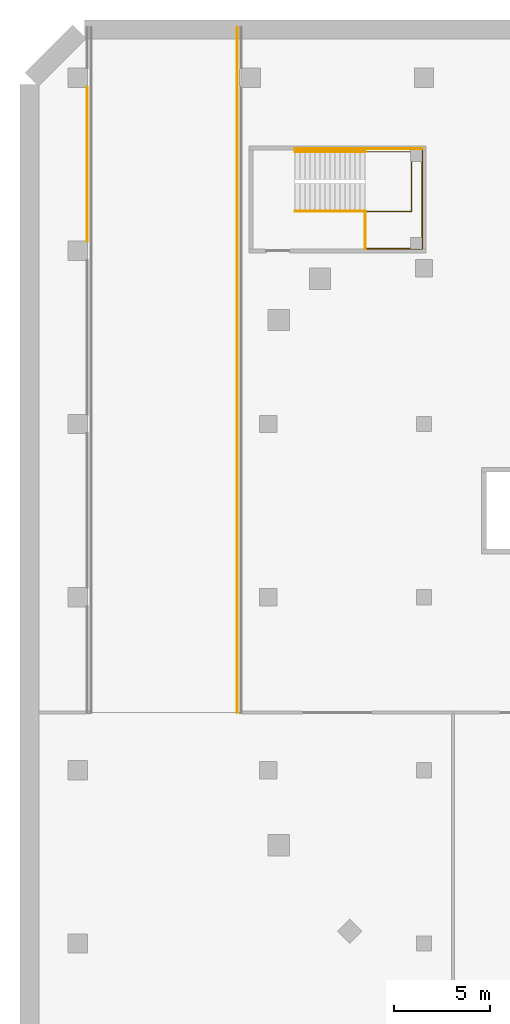
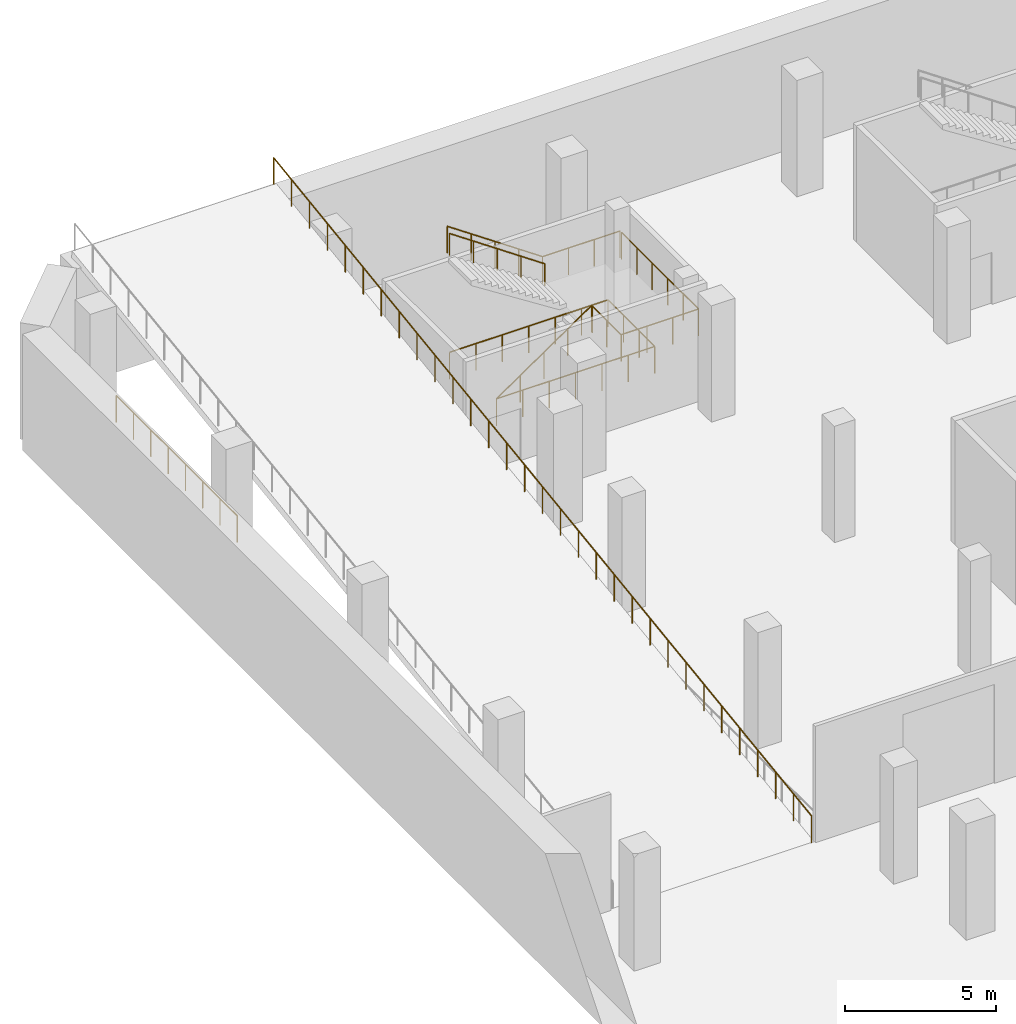
# One storey, part 14 of 19: 8 railings.
"""IFC4 building model written with IfcOpenShell, lengths in metres."""

from ifc_helpers import new_model, si_unit, direction, frame, origin, origin_2d, place, context, subcontext, project, spatial, circle, extrude, material, type_object, element, save


model = new_model("IFC4")

# Units and contexts
model_context = context("Model", 3, precision=1e-05, world=origin(), true_north=direction((0.0, 1.0)))
body_context = subcontext(model_context, "Body", "Model", "MODEL_VIEW")
ifc_project = project(units=[si_unit("LENGTHUNIT", "METRE"), si_unit("AREAUNIT", "SQUARE_METRE"), si_unit("VOLUMEUNIT", "CUBIC_METRE"), si_unit("PLANEANGLEUNIT", "RADIAN"), si_unit("MASSUNIT", "GRAM", prefix="KILO")], contexts=[model_context])

# Site, building, storey
site_placement = place(None, origin())
site = spatial("IfcSite", under=ifc_project, at=site_placement, CompositionType="ELEMENT")
building_placement = place(site_placement, origin())
building = spatial("IfcBuilding", under=site, at=building_placement, Name="Cinnabar Reach Civic Tower", CompositionType="ELEMENT")
storey_placement = place(building_placement, frame((0.0, 0.0, -5.0)))
storey = spatial("IfcBuildingStorey", under=building, at=storey_placement, Name="B1", CompositionType="ELEMENT", Elevation=-5.0)

# Railings
ifc_material_1 = material(Name="Stainless steel and glass", Category="steel")
railing_type_1 = type_object("IfcRailingType", Name="Podium guard 1100", PredefinedType="GUARDRAIL", material=ifc_material_1)
railing_1_placement = place(storey_placement, frame((-69.7, 47.05, 0.0)))
element("IfcRailing", 1, at=railing_1_placement, inside=storey, type_object=railing_type_1, Name="Stair guard PS2 B1", PredefinedType="GUARDRAIL", context=body_context, shape_type="SweptSolid", body=[
    extrude(circle(Radius=0.024, at=origin_2d()), frame((0.0, 0.0, 1.076), z_axis=(0.824306135323, 0.0, 0.566144323711), x_axis=(0.0, 1.0, 0.0)), (0.0, 0.0, 1.0), 4.4158),
    extrude(circle(Radius=0.021, at=origin_2d()), origin(), (0.0, 0.0, 1.0), 1.052),
    extrude(circle(Radius=0.021, at=origin_2d()), frame((0.91, 0.0, 0.625)), (0.0, 0.0, 1.0), 1.052),
    extrude(circle(Radius=0.021, at=origin_2d()), frame((1.82, 0.0, 1.25)), (0.0, 0.0, 1.0), 1.052),
    extrude(circle(Radius=0.021, at=origin_2d()), frame((2.73, 0.0, 1.875)), (0.0, 0.0, 1.0), 1.052),
    extrude(circle(Radius=0.021, at=origin_2d()), frame((3.64, 0.0, 2.5)), (0.0, 0.0, 1.0), 1.052),
])
railing_2_placement = place(storey_placement, frame((-66.06, 45.1, 2.5)))
element("IfcRailing", 2, at=railing_2_placement, inside=storey, type_object=railing_type_1, Name="Landing guard PS2 B1", PredefinedType="GUARDRAIL", context=body_context, shape_type="SweptSolid", body=[
    extrude(circle(Radius=0.024, at=origin_2d()), frame((0.0, 0.0, 1.076), z_axis=(1.0, 0.0, 0.0), x_axis=(0.0, 1.0, 0.0)), (0.0, 0.0, 1.0), 2.96),
    extrude(circle(Radius=0.024, at=origin_2d()), frame((2.96, 0.0, 1.076), z_axis=(0.0, 1.0, 0.0), x_axis=(-1.0, 0.0, 0.0)), (0.0, 0.0, 1.0), 5.1),
    extrude(circle(Radius=0.021, at=origin_2d()), origin(), (0.0, 0.0, 1.0), 1.052),
    extrude(circle(Radius=0.021, at=origin_2d()), frame((0.9867, 0.0, 0.0)), (0.0, 0.0, 1.0), 1.052),
    extrude(circle(Radius=0.021, at=origin_2d()), frame((1.9733, 0.0, 0.0)), (0.0, 0.0, 1.0), 1.052),
    extrude(circle(Radius=0.021, at=origin_2d()), frame((2.96, 0.0, 0.0)), (0.0, 0.0, 1.0), 1.052),
    extrude(circle(Radius=0.021, at=origin_2d()), frame((2.96, 1.02, 0.0)), (0.0, 0.0, 1.0), 1.052),
    extrude(circle(Radius=0.021, at=origin_2d()), frame((2.96, 2.04, 0.0)), (0.0, 0.0, 1.0), 1.052),
    extrude(circle(Radius=0.021, at=origin_2d()), frame((2.96, 3.06, 0.0)), (0.0, 0.0, 1.0), 1.052),
    extrude(circle(Radius=0.021, at=origin_2d()), frame((2.96, 4.08, 0.0)), (0.0, 0.0, 1.0), 1.052),
    extrude(circle(Radius=0.021, at=origin_2d()), frame((2.96, 5.1, 0.0)), (0.0, 0.0, 1.0), 1.052),
])
railing_3_placement = place(storey_placement, frame((-66.06, 45.1, 2.5)))
element("IfcRailing", 3, at=railing_3_placement, inside=storey, type_object=railing_type_1, Name="Landing guard PS2 B1 inner", PredefinedType="GUARDRAIL", context=body_context, shape_type="SweptSolid", body=[
    extrude(circle(Radius=0.024, at=origin_2d()), frame((0.0, 0.0, 1.076), z_axis=(0.0, 1.0, 0.0), x_axis=(-1.0, 0.0, 0.0)), (0.0, 0.0, 1.0), 1.9),
    extrude(circle(Radius=0.021, at=origin_2d()), origin(), (0.0, 0.0, 1.0), 1.052),
    extrude(circle(Radius=0.021, at=origin_2d()), frame((0.0, 0.95, 0.0)), (0.0, 0.0, 1.0), 1.052),
    extrude(circle(Radius=0.021, at=origin_2d()), frame((0.0, 1.9, 0.0)), (0.0, 0.0, 1.0), 1.052),
])
railing_4_placement = place(storey_placement, frame((-63.1, 50.3, 2.5)))
element("IfcRailing", 4, at=railing_4_placement, inside=storey, type_object=railing_type_1, Name="Stair wall side guard PS2 B1", PredefinedType="GUARDRAIL", context=body_context, shape_type="SweptSolid", body=[
    extrude(circle(Radius=0.024, at=origin_2d()), frame((0.0, 0.0, 1.076), z_axis=(-1.0, 0.0, 0.0), x_axis=(0.0, -1.0, 0.0)), (0.0, 0.0, 1.0), 2.96),
    extrude(circle(Radius=0.024, at=origin_2d()), frame((-2.96, 0.0, 1.076), z_axis=(-0.824306135323, 0.0, 0.566144323711), x_axis=(0.0, -1.0, 0.0)), (0.0, 0.0, 1.0), 4.4158),
    extrude(circle(Radius=0.021, at=origin_2d()), origin(), (0.0, 0.0, 1.0), 1.052),
    extrude(circle(Radius=0.021, at=origin_2d()), frame((-0.9867, 0.0, 0.0)), (0.0, 0.0, 1.0), 1.052),
    extrude(circle(Radius=0.021, at=origin_2d()), frame((-1.9733, 0.0, 0.0)), (0.0, 0.0, 1.0), 1.052),
    extrude(circle(Radius=0.021, at=origin_2d()), frame((-2.96, 0.0, 0.0)), (0.0, 0.0, 1.0), 1.052),
    extrude(circle(Radius=0.021, at=origin_2d()), frame((-3.87, 0.0, 0.625)), (0.0, 0.0, 1.0), 1.052),
    extrude(circle(Radius=0.021, at=origin_2d()), frame((-4.78, 0.0, 1.25)), (0.0, 0.0, 1.0), 1.052),
    extrude(circle(Radius=0.021, at=origin_2d()), frame((-5.69, 0.0, 1.875)), (0.0, 0.0, 1.0), 1.052),
    extrude(circle(Radius=0.021, at=origin_2d()), frame((-6.6, 0.0, 2.5)), (0.0, 0.0, 1.0), 1.052),
])
railing_5_placement = place(storey_placement, frame((-69.7, 47.05, 0.0)))
element("IfcRailing", 5, at=railing_5_placement, inside=storey, type_object=railing_type_1, Name="Stair well guard PS2 B1", PredefinedType="GUARDRAIL", context=body_context, shape_type="SweptSolid", body=[
    extrude(circle(Radius=0.024, at=origin_2d()), frame((0.0, 0.0, 1.076), z_axis=(1.0, 0.0, 0.0), x_axis=(0.0, 1.0, 0.0)), (0.0, 0.0, 1.0), 6.05),
    extrude(circle(Radius=0.024, at=origin_2d()), frame((6.05, 0.0, 1.076), z_axis=(0.0, 1.0, 0.0), x_axis=(-1.0, 0.0, 0.0)), (0.0, 0.0, 1.0), 3.1),
    extrude(circle(Radius=0.024, at=origin_2d()), frame((6.05, 3.1, 1.076), z_axis=(-1.0, 0.0, 0.0), x_axis=(0.0, -1.0, 0.0)), (0.0, 0.0, 1.0), 6.05),
    extrude(circle(Radius=0.021, at=origin_2d()), origin(), (0.0, 0.0, 1.0), 1.052),
    extrude(circle(Radius=0.021, at=origin_2d()), frame((1.0083, 0.0, 0.0)), (0.0, 0.0, 1.0), 1.052),
    extrude(circle(Radius=0.021, at=origin_2d()), frame((2.0167, 0.0, 0.0)), (0.0, 0.0, 1.0), 1.052),
    extrude(circle(Radius=0.021, at=origin_2d()), frame((3.025, 0.0, 0.0)), (0.0, 0.0, 1.0), 1.052),
    extrude(circle(Radius=0.021, at=origin_2d()), frame((4.0333, 0.0, 0.0)), (0.0, 0.0, 1.0), 1.052),
    extrude(circle(Radius=0.021, at=origin_2d()), frame((5.0417, 0.0, 0.0)), (0.0, 0.0, 1.0), 1.052),
    extrude(circle(Radius=0.021, at=origin_2d()), frame((6.05, 0.0, 0.0)), (0.0, 0.0, 1.0), 1.052),
    extrude(circle(Radius=0.021, at=origin_2d()), frame((6.05, 1.0333, 0.0)), (0.0, 0.0, 1.0), 1.052),
    extrude(circle(Radius=0.021, at=origin_2d()), frame((6.05, 2.0667, 0.0)), (0.0, 0.0, 1.0), 1.052),
    extrude(circle(Radius=0.021, at=origin_2d()), frame((6.05, 3.1, 0.0)), (0.0, 0.0, 1.0), 1.052),
    extrude(circle(Radius=0.021, at=origin_2d()), frame((5.0417, 3.1, 0.0)), (0.0, 0.0, 1.0), 1.052),
    extrude(circle(Radius=0.021, at=origin_2d()), frame((4.0333, 3.1, 0.0)), (0.0, 0.0, 1.0), 1.052),
    extrude(circle(Radius=0.021, at=origin_2d()), frame((3.025, 3.1, 0.0)), (0.0, 0.0, 1.0), 1.052),
    extrude(circle(Radius=0.021, at=origin_2d()), frame((2.0167, 3.1, 0.0)), (0.0, 0.0, 1.0), 1.052),
    extrude(circle(Radius=0.021, at=origin_2d()), frame((1.0083, 3.1, 0.0)), (0.0, 0.0, 1.0), 1.052),
    extrude(circle(Radius=0.021, at=origin_2d()), frame((0.0, 3.1, 0.0)), (0.0, 0.0, 1.0), 1.052),
])
railing_6_placement = place(storey_placement, frame((-72.7, 21.0, 0.0)))
element("IfcRailing", 6, at=railing_6_placement, inside=storey, type_object=railing_type_1, Name="Ramp guard R3-b", PredefinedType="GUARDRAIL", context=body_context, shape_type="SweptSolid", body=[
    extrude(circle(Radius=0.024, at=origin_2d()), frame((0.0, 0.0, 1.076), z_axis=(0.0, 0.990280538481, 0.139084345292), x_axis=(-1.0, 0.0, 0.0)), (0.0, 0.0, 1.0), 35.9494),
    extrude(circle(Radius=0.021, at=origin_2d()), origin(), (0.0, 0.0, 1.0), 1.052),
    extrude(circle(Radius=0.021, at=origin_2d()), frame((0.0, 1.1867, 0.1667)), (0.0, 0.0, 1.0), 1.052),
    extrude(circle(Radius=0.021, at=origin_2d()), frame((0.0, 2.3733, 0.3333)), (0.0, 0.0, 1.0), 1.052),
    extrude(circle(Radius=0.021, at=origin_2d()), frame((0.0, 3.56, 0.5)), (0.0, 0.0, 1.0), 1.052),
    extrude(circle(Radius=0.021, at=origin_2d()), frame((0.0, 4.7467, 0.6667)), (0.0, 0.0, 1.0), 1.052),
    extrude(circle(Radius=0.021, at=origin_2d()), frame((0.0, 5.9333, 0.8333)), (0.0, 0.0, 1.0), 1.052),
    extrude(circle(Radius=0.021, at=origin_2d()), frame((0.0, 7.12, 1.0)), (0.0, 0.0, 1.0), 1.052),
    extrude(circle(Radius=0.021, at=origin_2d()), frame((0.0, 8.3067, 1.1667)), (0.0, 0.0, 1.0), 1.052),
    extrude(circle(Radius=0.021, at=origin_2d()), frame((0.0, 9.4933, 1.3333)), (0.0, 0.0, 1.0), 1.052),
    extrude(circle(Radius=0.021, at=origin_2d()), frame((0.0, 10.68, 1.5)), (0.0, 0.0, 1.0), 1.052),
    extrude(circle(Radius=0.021, at=origin_2d()), frame((0.0, 11.8667, 1.6667)), (0.0, 0.0, 1.0), 1.052),
    extrude(circle(Radius=0.021, at=origin_2d()), frame((0.0, 13.0533, 1.8333)), (0.0, 0.0, 1.0), 1.052),
    extrude(circle(Radius=0.021, at=origin_2d()), frame((0.0, 14.24, 2.0)), (0.0, 0.0, 1.0), 1.052),
    extrude(circle(Radius=0.021, at=origin_2d()), frame((0.0, 15.4267, 2.1667)), (0.0, 0.0, 1.0), 1.052),
    extrude(circle(Radius=0.021, at=origin_2d()), frame((0.0, 16.6133, 2.3333)), (0.0, 0.0, 1.0), 1.052),
    extrude(circle(Radius=0.021, at=origin_2d()), frame((0.0, 17.8, 2.5)), (0.0, 0.0, 1.0), 1.052),
    extrude(circle(Radius=0.021, at=origin_2d()), frame((0.0, 18.9867, 2.6667)), (0.0, 0.0, 1.0), 1.052),
    extrude(circle(Radius=0.021, at=origin_2d()), frame((0.0, 20.1733, 2.8333)), (0.0, 0.0, 1.0), 1.052),
    extrude(circle(Radius=0.021, at=origin_2d()), frame((0.0, 21.36, 3.0)), (0.0, 0.0, 1.0), 1.052),
    extrude(circle(Radius=0.021, at=origin_2d()), frame((0.0, 22.5467, 3.1667)), (0.0, 0.0, 1.0), 1.052),
    extrude(circle(Radius=0.021, at=origin_2d()), frame((0.0, 23.7333, 3.3333)), (0.0, 0.0, 1.0), 1.052),
    extrude(circle(Radius=0.021, at=origin_2d()), frame((0.0, 24.92, 3.5)), (0.0, 0.0, 1.0), 1.052),
    extrude(circle(Radius=0.021, at=origin_2d()), frame((0.0, 26.1067, 3.6667)), (0.0, 0.0, 1.0), 1.052),
    extrude(circle(Radius=0.021, at=origin_2d()), frame((0.0, 27.2933, 3.8333)), (0.0, 0.0, 1.0), 1.052),
    extrude(circle(Radius=0.021, at=origin_2d()), frame((0.0, 28.48, 4.0)), (0.0, 0.0, 1.0), 1.052),
    extrude(circle(Radius=0.021, at=origin_2d()), frame((0.0, 29.6667, 4.1667)), (0.0, 0.0, 1.0), 1.052),
    extrude(circle(Radius=0.021, at=origin_2d()), frame((0.0, 30.8533, 4.3333)), (0.0, 0.0, 1.0), 1.052),
    extrude(circle(Radius=0.021, at=origin_2d()), frame((0.0, 32.04, 4.5)), (0.0, 0.0, 1.0), 1.052),
    extrude(circle(Radius=0.021, at=origin_2d()), frame((0.0, 33.2267, 4.6667)), (0.0, 0.0, 1.0), 1.052),
    extrude(circle(Radius=0.021, at=origin_2d()), frame((0.0, 34.4133, 4.8333)), (0.0, 0.0, 1.0), 1.052),
    extrude(circle(Radius=0.021, at=origin_2d()), frame((0.0, 35.6, 5.0)), (0.0, 0.0, 1.0), 1.052),
])
railing_7_placement = place(storey_placement, frame((-80.5, 45.5, 0.0)))
element("IfcRailing", 7, at=railing_7_placement, inside=storey, type_object=railing_type_1, Name="Opening guard B1 rh1-w", PredefinedType="GUARDRAIL", context=body_context, shape_type="SweptSolid", body=[
    extrude(circle(Radius=0.024, at=origin_2d()), frame((0.0, 0.0, 1.076), z_axis=(0.0, 1.0, 0.0), x_axis=(-1.0, 0.0, 0.0)), (0.0, 0.0, 1.0), 8.0),
    extrude(circle(Radius=0.021, at=origin_2d()), origin(), (0.0, 0.0, 1.0), 1.052),
    extrude(circle(Radius=0.021, at=origin_2d()), frame((0.0, 1.1429, 0.0)), (0.0, 0.0, 1.0), 1.052),
    extrude(circle(Radius=0.021, at=origin_2d()), frame((0.0, 2.2857, 0.0)), (0.0, 0.0, 1.0), 1.052),
    extrude(circle(Radius=0.021, at=origin_2d()), frame((0.0, 3.4286, 0.0)), (0.0, 0.0, 1.0), 1.052),
    extrude(circle(Radius=0.021, at=origin_2d()), frame((0.0, 4.5714, 0.0)), (0.0, 0.0, 1.0), 1.052),
    extrude(circle(Radius=0.021, at=origin_2d()), frame((0.0, 5.7143, 0.0)), (0.0, 0.0, 1.0), 1.052),
    extrude(circle(Radius=0.021, at=origin_2d()), frame((0.0, 6.8571, 0.0)), (0.0, 0.0, 1.0), 1.052),
    extrude(circle(Radius=0.021, at=origin_2d()), frame((0.0, 8.0, 0.0)), (0.0, 0.0, 1.0), 1.052),
])
ifc_material_2 = material(Name="Stainless steel", Category="steel")
railing_type_2 = type_object("IfcRailingType", Name="Podium stair handrail 900", PredefinedType="HANDRAIL", material=ifc_material_2)
railing_8_placement = place(storey_placement, frame((-66.06, 50.15, 2.5)))
element("IfcRailing", 8, at=railing_8_placement, inside=storey, type_object=railing_type_2, Name="Stair handrail PS2 B1", PredefinedType="HANDRAIL", context=body_context, shape_type="SweptSolid", body=[
    extrude(circle(Radius=0.024, at=origin_2d()), frame((0.0, 0.0, 0.876), z_axis=(-0.824306135323, 0.0, 0.566144323711), x_axis=(0.0, -1.0, 0.0)), (0.0, 0.0, 1.0), 4.4158),
    extrude(circle(Radius=0.021, at=origin_2d()), origin(), (0.0, 0.0, 1.0), 0.852),
    extrude(circle(Radius=0.021, at=origin_2d()), frame((-0.91, 0.0, 0.625)), (0.0, 0.0, 1.0), 0.852),
    extrude(circle(Radius=0.021, at=origin_2d()), frame((-1.82, 0.0, 1.25)), (0.0, 0.0, 1.0), 0.852),
    extrude(circle(Radius=0.021, at=origin_2d()), frame((-2.73, 0.0, 1.875)), (0.0, 0.0, 1.0), 0.852),
    extrude(circle(Radius=0.021, at=origin_2d()), frame((-3.64, 0.0, 2.5)), (0.0, 0.0, 1.0), 0.852),
])

save(model, "model.ifc")
